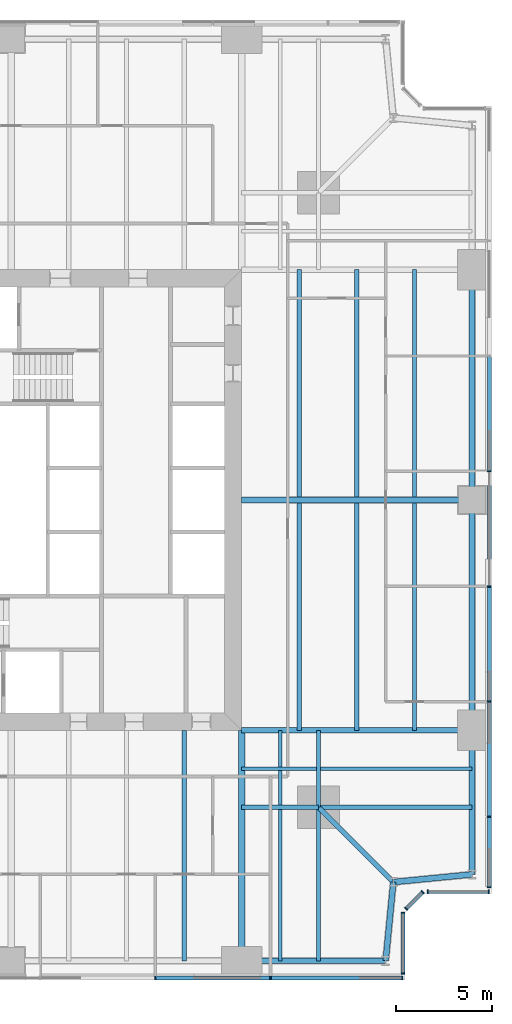
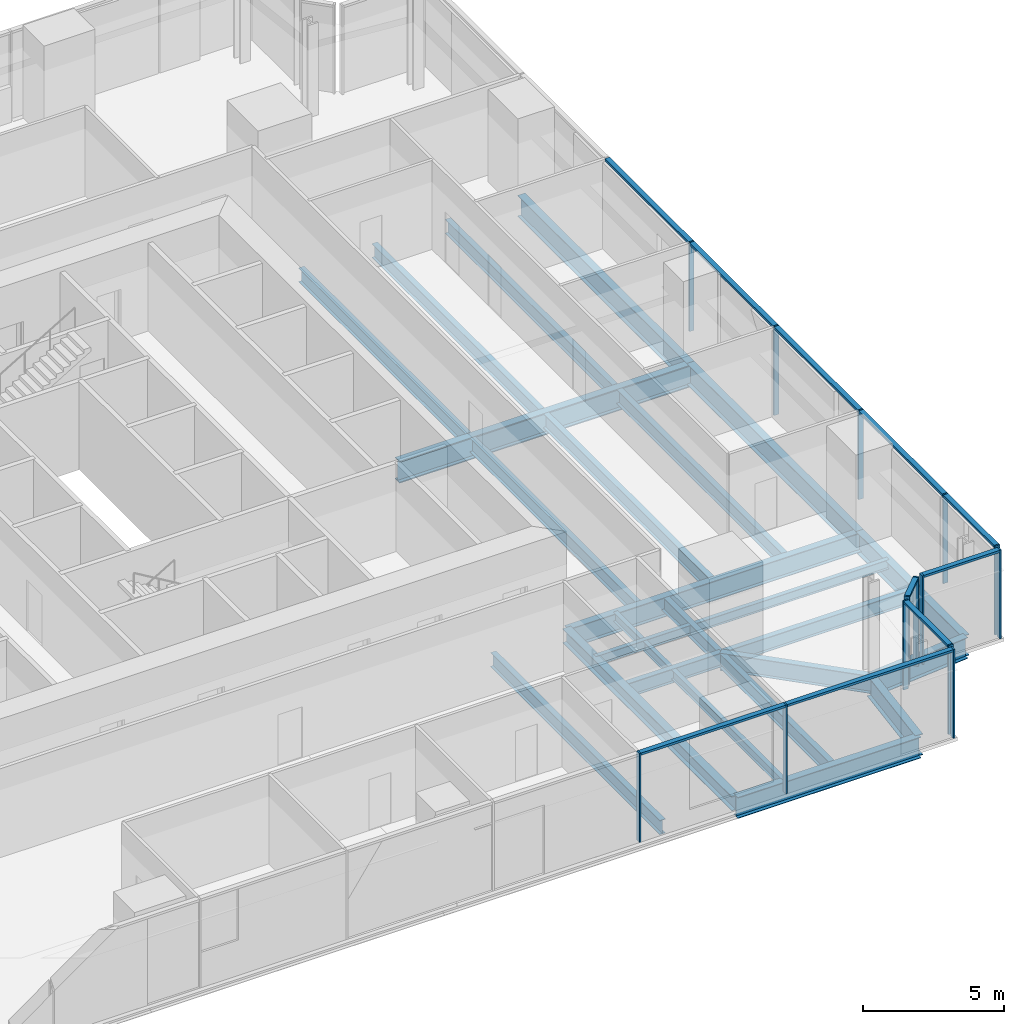
# One storey, part 5 of 13: 26 beams, 24 members, 5 elements without a shape of their own.
"""IFC4 building model written with IfcOpenShell, lengths in metres."""

from ifc_helpers import new_model, si_unit, direction, frame, origin, origin_2d, place, context, subcontext, project, spatial, rectangle, i_section, extrude, material, material_profile, profile_set, type_object, element, aggregate, save


model = new_model("IFC4")

# Units and contexts
model_context = context("Model", 3, precision=1e-05, world=origin(), true_north=direction((0.0, 1.0)))
body_context = subcontext(model_context, "Body", "Model", "MODEL_VIEW")
ifc_project = project(units=[si_unit("LENGTHUNIT", "METRE"), si_unit("AREAUNIT", "SQUARE_METRE"), si_unit("VOLUMEUNIT", "CUBIC_METRE"), si_unit("PLANEANGLEUNIT", "RADIAN"), si_unit("MASSUNIT", "GRAM", prefix="KILO")], contexts=[model_context])

# Site, building, storey
site_placement = place(None, origin())
site = spatial("IfcSite", under=ifc_project, at=site_placement, CompositionType="ELEMENT")
building_placement = place(site_placement, origin())
building = spatial("IfcBuilding", under=site, at=building_placement, Name="Fenwick Lantern Interchange", CompositionType="ELEMENT")
storey_placement = place(building_placement, frame((0.0, 0.0, 102.39990234375)))
storey = spatial("IfcBuildingStorey", under=building, at=storey_placement, Name="L23", CompositionType="ELEMENT", Elevation=102.39990234375)

# Beams
ifc_material_1 = material(Name="Steel ASTM A992 Grade 50", Category="steel")
ifc_material_profile_1 = material_profile(ifc_material_1, i_section(OverallWidth=0.3046875, OverallDepth=0.911865234375, WebThickness=0.015869140625, FlangeThickness=0.02392578125, at=origin_2d()), Name="W36X150")
ifc_profile_set_1 = profile_set([ifc_material_profile_1], Name="Steel ASTM A992 Grade 50")
beam_type_1 = type_object("IfcBeamType", Name="EDGE BEAM W36X150", PredefinedType="SPANDREL", material=ifc_profile_set_1)
beam_1_placement = place(storey_placement, frame((37.0, 1.0, -0.605712890625), z_axis=(1.0, 0.0, 0.0), x_axis=(0.0, 1.0, 0.0)))
element("IfcBeam", 1, at=beam_1_placement, inside=storey, type_object=beam_type_1, Name="L23/FR/S/EB4", PredefinedType="SPANDREL", context=body_context, shape_type="SweptSolid", body=[
    extrude(i_section(OverallWidth=0.3046875, OverallDepth=0.911865234375, WebThickness=0.015869140625, FlangeThickness=0.02392578125, at=origin_2d()), origin(), (0.0, 0.0, 1.0), 7.5),
])
for number, where, z_axis, x_axis, name in (
    (2, (44.5, 1.0, -0.605712890625), (0.097074191287, 0.995277148028, 0.0), (-0.995277148028, 0.097074191287, 0.0), "L23/FR/S/EBR1"),
    (3, (44.89990234375, 5.10009765625, -0.605712890625), (0.995277148028, 0.097074191287, 0.0), (-0.097074191287, 0.995277148028, 0.0), "L23/FR/S/EBR2"),
):
    element("IfcBeam", number, at=place(storey_placement, frame(where, z_axis=z_axis, x_axis=x_axis)), inside=storey, type_object=beam_type_1, Name=name, PredefinedType="SPANDREL", context=body_context, shape_type="SweptSolid", body=[
        extrude(i_section(OverallWidth=0.3046875, OverallDepth=0.911865234375, WebThickness=0.015869140625, FlangeThickness=0.02392578125, at=origin_2d()), origin(), (0.0, 0.0, 1.0), 4.11962890625),
    ])
beam_2_placement = place(storey_placement, frame((49.0, 5.5, -0.605712890625), z_axis=(0.0, 1.0, 0.0), x_axis=(-1.0, 0.0, 0.0)))
element("IfcBeam", 4, at=beam_2_placement, inside=storey, type_object=beam_type_1, Name="L23/FR/E/EB1", PredefinedType="SPANDREL", context=body_context, shape_type="SweptSolid", body=[
    extrude(i_section(OverallWidth=0.3046875, OverallDepth=0.911865234375, WebThickness=0.015869140625, FlangeThickness=0.02392578125, at=origin_2d()), origin(), (0.0, 0.0, 1.0), 7.5),
])
for number, where, z_axis, x_axis, name in (
    (5, (49.0, 13.0, -0.605712890625), (0.0, 1.0, 0.0), (-1.0, 0.0, 0.0), "L23/FR/E/EB2"),
    (6, (49.0, 25.0, -0.605712890625), (0.0, 1.0, 0.0), (-1.0, 0.0, 0.0), "L23/FR/E/EB3"),
):
    element("IfcBeam", number, at=place(storey_placement, frame(where, z_axis=z_axis, x_axis=x_axis)), inside=storey, type_object=beam_type_1, Name=name, PredefinedType="SPANDREL", context=body_context, shape_type="SweptSolid", body=[
        extrude(i_section(OverallWidth=0.3046875, OverallDepth=0.911865234375, WebThickness=0.015869140625, FlangeThickness=0.02392578125, at=origin_2d()), origin(), (0.0, 0.0, 1.0), 12.0),
    ])
ifc_material_profile_2 = material_profile(ifc_material_1, i_section(OverallWidth=0.22900390625, OverallDepth=0.612060546875, WebThickness=0.011962890625, FlangeThickness=0.01953125, at=origin_2d()), Name="W24X84")
ifc_profile_set_2 = profile_set([ifc_material_profile_2], Name="Steel ASTM A992 Grade 50")
beam_type_2 = type_object("IfcBeamType", Name="FLOOR BEAM W24X84", PredefinedType="BEAM", material=ifc_profile_set_2)
beam_3_placement = place(storey_placement, frame((34.0, 1.0, -0.4560546875), z_axis=(0.0, 1.0, 0.0), x_axis=(-1.0, 0.0, 0.0)))
element("IfcBeam", 7, at=beam_3_placement, inside=storey, type_object=beam_type_2, Name="L23/FR/S/R08", PredefinedType="BEAM", context=body_context, shape_type="SweptSolid", body=[
    extrude(i_section(OverallWidth=0.22900390625, OverallDepth=0.612060546875, WebThickness=0.011962890625, FlangeThickness=0.01953125, at=origin_2d()), origin(), (0.0, 0.0, 1.0), 12.0),
])
for number, where, z_axis, x_axis, name in (
    (8, (46.0, 13.0, -0.4560546875), (0.0, 1.0, 0.0), (-1.0, 0.0, 0.0), "L23/FR/E/B01"),
    (9, (43.0, 13.0, -0.4560546875), (0.0, 1.0, 0.0), (-1.0, 0.0, 0.0), "L23/FR/E/B02"),
    (10, (40.0, 13.0, -0.4560546875), (0.0, 1.0, 0.0), (-1.0, 0.0, 0.0), "L23/FR/E/B03"),
    (11, (46.0, 25.155029296875, -0.4560546875), (0.0, 1.0, 0.0), (-1.0, 0.0, 0.0), "L23/FR/E/B04"),
    (12, (43.0, 25.155029296875, -0.4560546875), (0.0, 1.0, 0.0), (-1.0, 0.0, 0.0), "L23/FR/E/B05"),
    (13, (40.0, 25.155029296875, -0.4560546875), (0.0, 1.0, 0.0), (-1.0, 0.0, 0.0), "L23/FR/E/B06"),
):
    element("IfcBeam", number, at=place(storey_placement, frame(where, z_axis=z_axis, x_axis=x_axis)), inside=storey, type_object=beam_type_2, Name=name, PredefinedType="BEAM", context=body_context, shape_type="SweptSolid", body=[
        extrude(i_section(OverallWidth=0.22900390625, OverallDepth=0.612060546875, WebThickness=0.011962890625, FlangeThickness=0.01953125, at=origin_2d()), origin(), (0.0, 0.0, 1.0), 11.844970703125),
    ])
ifc_material_profile_3 = material_profile(ifc_material_1, i_section(OverallWidth=0.177734375, OverallDepth=0.406494140625, WebThickness=0.0078125, FlangeThickness=0.012939453125, at=origin_2d()), Name="W16X40")
ifc_profile_set_3 = profile_set([ifc_material_profile_3], Name="Steel ASTM A992 Grade 50")
beam_type_3 = type_object("IfcBeamType", Name="INFILL BEAM W16X40", PredefinedType="JOIST", material=ifc_profile_set_3)
beam_4_placement = place(storey_placement, frame((49.0, 11.0, -0.35302734375), z_axis=(-1.0, 0.0, 0.0), x_axis=(0.0, -1.0, 0.0)))
element("IfcBeam", 14, at=beam_4_placement, inside=storey, type_object=beam_type_3, Name="L23/FR/E/J1", PredefinedType="JOIST", context=body_context, shape_type="SweptSolid", body=[
    extrude(i_section(OverallWidth=0.177734375, OverallDepth=0.406494140625, WebThickness=0.0078125, FlangeThickness=0.012939453125, at=origin_2d()), origin(), (0.0, 0.0, 1.0), 7.885498046875),
])
beam_5_placement = place(storey_placement, frame((40.885498046875, 11.0, -0.35302734375), z_axis=(-1.0, 0.0, 0.0), x_axis=(0.0, -1.0, 0.0)))
element("IfcBeam", 15, at=beam_5_placement, inside=storey, type_object=beam_type_3, Name="L23/FR/E/J2", PredefinedType="JOIST", context=body_context, shape_type="SweptSolid", body=[
    extrude(i_section(OverallWidth=0.177734375, OverallDepth=0.406494140625, WebThickness=0.0078125, FlangeThickness=0.012939453125, at=origin_2d()), origin(), (0.0, 0.0, 1.0), 3.885498046875),
])
beam_6_placement = place(storey_placement, frame((39.0, 1.0, -0.35302734375), z_axis=(0.0, 1.0, 0.0), x_axis=(-1.0, 0.0, 0.0)))
element("IfcBeam", 16, at=beam_6_placement, inside=storey, type_object=beam_type_3, Name="L23/FR/E/J3", PredefinedType="JOIST", context=body_context, shape_type="SweptSolid", body=[
    extrude(i_section(OverallWidth=0.177734375, OverallDepth=0.406494140625, WebThickness=0.0078125, FlangeThickness=0.012939453125, at=origin_2d()), origin(), (0.0, 0.0, 1.0), 7.885498046875),
])
beam_7_placement = place(storey_placement, frame((39.0, 9.114501953125, -0.35302734375), z_axis=(0.0, 1.0, 0.0), x_axis=(-1.0, 0.0, 0.0)))
element("IfcBeam", 17, at=beam_7_placement, inside=storey, type_object=beam_type_3, Name="L23/FR/E/J4", PredefinedType="JOIST", context=body_context, shape_type="SweptSolid", body=[
    extrude(i_section(OverallWidth=0.177734375, OverallDepth=0.406494140625, WebThickness=0.0078125, FlangeThickness=0.012939453125, at=origin_2d()), origin(), (0.0, 0.0, 1.0), 1.796630859375),
])
beam_8_placement = place(storey_placement, frame((39.0, 11.0888671875, -0.35302734375), z_axis=(0.0, 1.0, 0.0), x_axis=(-1.0, 0.0, 0.0)))
element("IfcBeam", 18, at=beam_8_placement, inside=storey, type_object=beam_type_3, Name="L23/FR/E/J5", PredefinedType="JOIST", context=body_context, shape_type="SweptSolid", body=[
    extrude(i_section(OverallWidth=0.177734375, OverallDepth=0.406494140625, WebThickness=0.0078125, FlangeThickness=0.012939453125, at=origin_2d()), origin(), (0.0, 0.0, 1.0), 1.9111328125),
])
ifc_material_profile_4 = material_profile(ifc_material_1, i_section(OverallWidth=0.22900390625, OverallDepth=0.612060546875, WebThickness=0.011962890625, FlangeThickness=0.01953125, at=origin_2d()), Name="W24X84")
ifc_profile_set_4 = profile_set([ifc_material_profile_4], Name="Steel ASTM A992 Grade 50")
beam_type_4 = type_object("IfcBeamType", Name="MEGA COLUMN BEAM W24X84", PredefinedType="BEAM", material=ifc_profile_set_4)
for number, where, z_axis, x_axis, name in (
    (19, (41.0, 9.0, -0.4560546875), (1.0, 0.0, 0.0), (0.0, 1.0, 0.0), "L23/FR/E/MB1"),
    (20, (41.0, 9.0, -0.4560546875), (0.0, -1.0, 0.0), (1.0, 0.0, 0.0), "L23/FR/E/MB2"),
):
    element("IfcBeam", number, at=place(storey_placement, frame(where, z_axis=z_axis, x_axis=x_axis)), inside=storey, type_object=beam_type_4, Name=name, PredefinedType="BEAM", context=body_context, shape_type="SweptSolid", body=[
        extrude(i_section(OverallWidth=0.22900390625, OverallDepth=0.612060546875, WebThickness=0.011962890625, FlangeThickness=0.01953125, at=origin_2d()), origin(), (0.0, 0.0, 1.0), 8.0),
    ])
for number, where, z_axis, x_axis, name in (
    (21, (41.0, 9.0, -0.4560546875), (0.0, 1.0, 0.0), (-1.0, 0.0, 0.0), "L23/FR/E/MB3"),
    (22, (41.0, 9.0, -0.4560546875), (-1.0, 0.0, 0.0), (0.0, -1.0, 0.0), "L23/FR/E/MB4"),
):
    element("IfcBeam", number, at=place(storey_placement, frame(where, z_axis=z_axis, x_axis=x_axis)), inside=storey, type_object=beam_type_4, Name=name, PredefinedType="BEAM", context=body_context, shape_type="SweptSolid", body=[
        extrude(i_section(OverallWidth=0.22900390625, OverallDepth=0.612060546875, WebThickness=0.011962890625, FlangeThickness=0.01953125, at=origin_2d()), origin(), (0.0, 0.0, 1.0), 4.0),
    ])
ifc_material_profile_5 = material_profile(ifc_material_1, i_section(OverallWidth=0.32763671875, OverallDepth=0.622314453125, WebThickness=0.015380859375, FlangeThickness=0.0244140625, at=origin_2d()), Name="W24X131")
ifc_profile_set_5 = profile_set([ifc_material_profile_5], Name="Steel ASTM A992 Grade 50")
beam_type_5 = type_object("IfcBeamType", Name="MOMENT-CONNECTED GIRDER W24X131", PredefinedType="BEAM", material=ifc_profile_set_5)
beam_9_placement = place(storey_placement, frame((37.0, 1.0, -0.4609375), z_axis=(0.0, 1.0, 0.0), x_axis=(-1.0, 0.0, 0.0)))
element("IfcBeam", 23, at=beam_9_placement, inside=storey, type_object=beam_type_5, Name="L23/FR/S/R09", PredefinedType="BEAM", context=body_context, shape_type="SweptSolid", body=[
    extrude(i_section(OverallWidth=0.32763671875, OverallDepth=0.622314453125, WebThickness=0.015380859375, FlangeThickness=0.0244140625, at=origin_2d()), origin(), (0.0, 0.0, 1.0), 12.0),
])
ifc_material_profile_6 = material_profile(ifc_material_1, i_section(OverallWidth=0.2919921875, OverallDepth=0.845703125, WebThickness=0.015380859375, FlangeThickness=0.0244140625, at=origin_2d()), Name="W33X141")
ifc_profile_set_6 = profile_set([ifc_material_profile_6], Name="Steel ASTM A992 Grade 50")
beam_type_6 = type_object("IfcBeamType", Name="MOMENT-CONNECTED GIRDER W33X141", PredefinedType="BEAM", material=ifc_profile_set_6)
beam_10_placement = place(storey_placement, frame((49.0, 13.0, -0.57275390625), z_axis=(-1.0, 0.0, 0.0), x_axis=(0.0, -1.0, 0.0)))
element("IfcBeam", 24, at=beam_10_placement, inside=storey, type_object=beam_type_6, Name="L23/FR/E/R01", PredefinedType="BEAM", context=body_context, shape_type="SweptSolid", body=[
    extrude(i_section(OverallWidth=0.2919921875, OverallDepth=0.845703125, WebThickness=0.015380859375, FlangeThickness=0.0244140625, at=origin_2d()), origin(), (0.0, 0.0, 1.0), 12.0),
])
ifc_material_profile_7 = material_profile(ifc_material_1, i_section(OverallWidth=0.309814453125, OverallDepth=0.949951171875, WebThickness=0.0244140625, FlangeThickness=0.0439453125, at=origin_2d()), Name="W36X256")
ifc_profile_set_7 = profile_set([ifc_material_profile_7], Name="Steel ASTM A992 Grade 50")
beam_type_7 = type_object("IfcBeamType", Name="MOMENT-CONNECTED GIRDER W36X256", PredefinedType="BEAM", material=ifc_profile_set_7)
beam_11_placement = place(storey_placement, frame((49.0, 25.0, -0.625), z_axis=(-1.0, 0.0, 0.0), x_axis=(0.0, -1.0, 0.0)))
element("IfcBeam", 25, at=beam_11_placement, inside=storey, type_object=beam_type_7, Name="L23/FR/E/R02", PredefinedType="BEAM", context=body_context, shape_type="SweptSolid", body=[
    extrude(i_section(OverallWidth=0.309814453125, OverallDepth=0.949951171875, WebThickness=0.0244140625, FlangeThickness=0.0439453125, at=origin_2d()), origin(), (0.0, 0.0, 1.0), 12.0),
])
ifc_material_profile_8 = material_profile(ifc_material_1, i_section(OverallWidth=0.2666015625, OverallDepth=0.7568359375, WebThickness=0.013916015625, FlangeThickness=0.019287109375, at=origin_2d()), Name="W30X108")
ifc_profile_set_8 = profile_set([ifc_material_profile_8], Name="Steel ASTM A992 Grade 50")
beam_type_8 = type_object("IfcBeamType", Name="NOTCH BEAM W30X108", PredefinedType="BEAM", material=ifc_profile_set_8)
beam_12_placement = place(storey_placement, frame((41.0, 9.0, -0.5283203125), z_axis=(0.707106781187, -0.707106781187, 0.0), x_axis=(0.707106781187, 0.707106781187, 0.0)))
element("IfcBeam", 26, at=beam_12_placement, inside=storey, type_object=beam_type_8, Name="L23/FR/E/TG", PredefinedType="BEAM", context=body_context, shape_type="SweptSolid", body=[
    extrude(i_section(OverallWidth=0.2666015625, OverallDepth=0.7568359375, WebThickness=0.013916015625, FlangeThickness=0.019287109375, at=origin_2d()), origin(), (0.0, 0.0, 1.0), 5.515380859375),
])

# Curtain wall, members
ifc_material_2 = material(Name="Aluminium curtain wall frame", Category="aluminium")
curtain_wall_type = type_object("IfcCurtainWallType", Name="OFFICE CURTAIN WALL", PredefinedType="USERDEFINED", material=ifc_material_2)
curtain_wall_1_placement = place(storey_placement, origin())
curtain_wall_1 = element("IfcCurtainWall", 27, at=curtain_wall_1_placement, inside=storey, type_object=curtain_wall_type, Name="Office curtain wall 01", ObjectType="OFFICE CURTAIN WALL", PredefinedType="USERDEFINED")
ifc_material_3 = material(Name="Aluminium extrusion", Category="aluminium")
ifc_material_profile_9 = material_profile(ifc_material_3, rectangle(XDim=0.199951171875, YDim=0.06494140625, at=origin_2d()), Name="OFFICE CURTAIN WALL MULLION 65 X 200")
ifc_profile_set_9 = profile_set([ifc_material_profile_9], Name="Aluminium extrusion")
member_type_1 = type_object("IfcMemberType", Name="OFFICE CURTAIN WALL MULLION 65 X 200", PredefinedType="MULLION", material=ifc_profile_set_9)
member_1_placement = place(storey_placement, frame((32.5, 0.10009765625, 0.0), z_axis=(0.0, 0.0, 1.0), x_axis=(0.0, 1.0, 0.0)))
member_1 = element("IfcMember", 28, at=member_1_placement, type_object=member_type_1, Name="L23/CW/01/M05", PredefinedType="MULLION", context=body_context, shape_type="SweptSolid", body=[
    extrude(rectangle(XDim=0.199951171875, YDim=0.06494140625, at=origin_2d()), origin(), (0.0, 0.0, 1.0), 3.85009765625),
])
member_2_placement = place(storey_placement, frame((38.5, 0.10009765625, 0.0), z_axis=(0.0, 0.0, 1.0), x_axis=(0.0, 1.0, 0.0)))
member_2 = element("IfcMember", 29, at=member_2_placement, type_object=member_type_1, Name="L23/CW/01/M06", PredefinedType="MULLION", context=body_context, shape_type="SweptSolid", body=[
    extrude(rectangle(XDim=0.199951171875, YDim=0.06494140625, at=origin_2d()), origin(), (0.0, 0.0, 1.0), 3.85009765625),
])
member_3_placement = place(storey_placement, frame((45.367431640625, 0.10009765625, 0.0), z_axis=(0.0, 0.0, 1.0), x_axis=(0.0, 1.0, 0.0)))
member_3 = element("IfcMember", 30, at=member_3_placement, type_object=member_type_1, Name="L23/CW/01/M07", PredefinedType="MULLION", context=body_context, shape_type="SweptSolid", body=[
    extrude(rectangle(XDim=0.199951171875, YDim=0.06494140625, at=origin_2d()), origin(), (0.0, 0.0, 1.0), 3.85009765625),
])

curtain_wall_2_placement = place(storey_placement, origin())
curtain_wall_2 = element("IfcCurtainWall", 31, at=curtain_wall_2_placement, inside=storey, type_object=curtain_wall_type, Name="Office curtain wall 02", ObjectType="OFFICE CURTAIN WALL", PredefinedType="USERDEFINED")
member_4_placement = place(storey_placement, frame((45.39990234375, 0.33251953125, 0.0), z_axis=(0.0, 0.0, 1.0), x_axis=(-1.0, 0.0, 0.0)))
member_4 = element("IfcMember", 32, at=member_4_placement, type_object=member_type_1, Name="L23/CW/02/M00", PredefinedType="MULLION", context=body_context, shape_type="SweptSolid", body=[
    extrude(rectangle(XDim=0.199951171875, YDim=0.06494140625, at=origin_2d()), origin(), (0.0, 0.0, 1.0), 3.85009765625),
])
member_5_placement = place(storey_placement, frame((45.39990234375, 3.509033203125, 0.0), z_axis=(0.0, 0.0, 1.0), x_axis=(-1.0, 0.0, 0.0)))
member_5 = element("IfcMember", 33, at=member_5_placement, type_object=member_type_1, Name="L23/CW/02/M01", PredefinedType="MULLION", context=body_context, shape_type="SweptSolid", body=[
    extrude(rectangle(XDim=0.199951171875, YDim=0.06494140625, at=origin_2d()), origin(), (0.0, 0.0, 1.0), 3.85009765625),
])

curtain_wall_3_placement = place(storey_placement, origin())
curtain_wall_3 = element("IfcCurtainWall", 34, at=curtain_wall_3_placement, inside=storey, type_object=curtain_wall_type, Name="Office curtain wall 03", ObjectType="OFFICE CURTAIN WALL", PredefinedType="USERDEFINED")
member_6_placement = place(storey_placement, frame((45.564453125, 3.705810546875, 0.0), z_axis=(0.0, 0.0, 1.0), x_axis=(-0.707106781187, 0.707106781187, 0.0)))
member_6 = element("IfcMember", 35, at=member_6_placement, type_object=member_type_1, Name="L23/CW/03/M00", PredefinedType="MULLION", context=body_context, shape_type="SweptSolid", body=[
    extrude(rectangle(XDim=0.199951171875, YDim=0.06494140625, at=origin_2d()), origin(), (0.0, 0.0, 1.0), 3.85009765625),
])
member_7_placement = place(storey_placement, frame((46.435546875, 4.576904296875, 0.0), z_axis=(0.0, 0.0, 1.0), x_axis=(-0.707106781187, 0.707106781187, 0.0)))
member_7 = element("IfcMember", 36, at=member_7_placement, type_object=member_type_1, Name="L23/CW/03/M01", PredefinedType="MULLION", context=body_context, shape_type="SweptSolid", body=[
    extrude(rectangle(XDim=0.199951171875, YDim=0.06494140625, at=origin_2d()), origin(), (0.0, 0.0, 1.0), 3.85009765625),
])

curtain_wall_4_placement = place(storey_placement, origin())
curtain_wall_4 = element("IfcCurtainWall", 37, at=curtain_wall_4_placement, inside=storey, type_object=curtain_wall_type, Name="Office curtain wall 04", ObjectType="OFFICE CURTAIN WALL", PredefinedType="USERDEFINED")
member_8_placement = place(storey_placement, frame((46.691162109375, 4.60009765625, 0.0), z_axis=(0.0, 0.0, 1.0), x_axis=(0.0, 1.0, 0.0)))
member_8 = element("IfcMember", 38, at=member_8_placement, type_object=member_type_1, Name="L23/CW/04/M00", PredefinedType="MULLION", context=body_context, shape_type="SweptSolid", body=[
    extrude(rectangle(XDim=0.199951171875, YDim=0.06494140625, at=origin_2d()), origin(), (0.0, 0.0, 1.0), 3.85009765625),
])
member_9_placement = place(storey_placement, frame((49.867431640625, 4.60009765625, 0.0), z_axis=(0.0, 0.0, 1.0), x_axis=(0.0, 1.0, 0.0)))
member_9 = element("IfcMember", 39, at=member_9_placement, type_object=member_type_1, Name="L23/CW/04/M01", PredefinedType="MULLION", context=body_context, shape_type="SweptSolid", body=[
    extrude(rectangle(XDim=0.199951171875, YDim=0.06494140625, at=origin_2d()), origin(), (0.0, 0.0, 1.0), 3.85009765625),
])

curtain_wall_5_placement = place(storey_placement, origin())
curtain_wall_5 = element("IfcCurtainWall", 40, at=curtain_wall_5_placement, inside=storey, type_object=curtain_wall_type, Name="Office curtain wall 05", ObjectType="OFFICE CURTAIN WALL", PredefinedType="USERDEFINED")
member_10_placement = place(storey_placement, frame((49.89990234375, 4.83251953125, 0.0), z_axis=(0.0, 0.0, 1.0), x_axis=(-1.0, 0.0, 0.0)))
member_10 = element("IfcMember", 41, at=member_10_placement, type_object=member_type_1, Name="L23/CW/05/M00", PredefinedType="MULLION", context=body_context, shape_type="SweptSolid", body=[
    extrude(rectangle(XDim=0.199951171875, YDim=0.06494140625, at=origin_2d()), origin(), (0.0, 0.0, 1.0), 3.85009765625),
])
member_11_placement = place(storey_placement, frame((49.89990234375, 8.5, 0.0), z_axis=(0.0, 0.0, 1.0), x_axis=(-1.0, 0.0, 0.0)))
member_11 = element("IfcMember", 42, at=member_11_placement, type_object=member_type_1, Name="L23/CW/05/M01", PredefinedType="MULLION", context=body_context, shape_type="SweptSolid", body=[
    extrude(rectangle(XDim=0.199951171875, YDim=0.06494140625, at=origin_2d()), origin(), (0.0, 0.0, 1.0), 3.85009765625),
])
member_12_placement = place(storey_placement, frame((49.89990234375, 14.5, 0.0), z_axis=(0.0, 0.0, 1.0), x_axis=(-1.0, 0.0, 0.0)))
member_12 = element("IfcMember", 43, at=member_12_placement, type_object=member_type_1, Name="L23/CW/05/M02", PredefinedType="MULLION", context=body_context, shape_type="SweptSolid", body=[
    extrude(rectangle(XDim=0.199951171875, YDim=0.06494140625, at=origin_2d()), origin(), (0.0, 0.0, 1.0), 3.85009765625),
])
member_13_placement = place(storey_placement, frame((49.89990234375, 20.5, 0.0), z_axis=(0.0, 0.0, 1.0), x_axis=(-1.0, 0.0, 0.0)))
member_13 = element("IfcMember", 44, at=member_13_placement, type_object=member_type_1, Name="L23/CW/05/M03", PredefinedType="MULLION", context=body_context, shape_type="SweptSolid", body=[
    extrude(rectangle(XDim=0.199951171875, YDim=0.06494140625, at=origin_2d()), origin(), (0.0, 0.0, 1.0), 3.85009765625),
])
member_14_placement = place(storey_placement, frame((49.89990234375, 26.5, 0.0), z_axis=(0.0, 0.0, 1.0), x_axis=(-1.0, 0.0, 0.0)))
member_14 = element("IfcMember", 45, at=member_14_placement, type_object=member_type_1, Name="L23/CW/05/M04", PredefinedType="MULLION", context=body_context, shape_type="SweptSolid", body=[
    extrude(rectangle(XDim=0.199951171875, YDim=0.06494140625, at=origin_2d()), origin(), (0.0, 0.0, 1.0), 3.85009765625),
])

# Member
ifc_material_profile_10 = material_profile(ifc_material_3, rectangle(XDim=0.199951171875, YDim=0.10009765625, at=origin_2d()), Name="OFFICE CURTAIN WALL TRANSOM 100 X 200")
ifc_profile_set_10 = profile_set([ifc_material_profile_10], Name="Aluminium extrusion")
member_type_2 = type_object("IfcMemberType", Name="OFFICE CURTAIN WALL TRANSOM 100 X 200", PredefinedType="MULLION", material=ifc_profile_set_10)
member_15_placement = place(storey_placement, frame((32.532470703125, 0.10009765625, 3.800048828125), z_axis=(1.0, 0.0, 0.0), x_axis=(0.0, 1.0, 0.0)))
member_15 = element("IfcMember", 46, at=member_15_placement, type_object=member_type_2, Name="L23/CW/01/T05", PredefinedType="MULLION", context=body_context, shape_type="SweptSolid", body=[
    extrude(rectangle(XDim=0.199951171875, YDim=0.10009765625, at=origin_2d()), origin(), (0.0, 0.0, 1.0), 5.93505859375),
])

member_16_placement = place(storey_placement, frame((38.532470703125, 0.10009765625, 3.800048828125), z_axis=(1.0, 0.0, 0.0), x_axis=(0.0, 1.0, 0.0)))
member_16 = element("IfcMember", 47, at=member_16_placement, type_object=member_type_2, Name="L23/CW/01/T06", PredefinedType="MULLION", context=body_context, shape_type="SweptSolid", body=[
    extrude(rectangle(XDim=0.199951171875, YDim=0.10009765625, at=origin_2d()), origin(), (0.0, 0.0, 1.0), 6.802490234375),
])

aggregate(curtain_wall_1, [member_1, member_2, member_3, member_15, member_16])

member_17_placement = place(storey_placement, frame((45.39990234375, 0.364990234375, 3.800048828125), z_axis=(0.0, 1.0, 0.0), x_axis=(-1.0, 0.0, 0.0)))
member_17 = element("IfcMember", 48, at=member_17_placement, type_object=member_type_2, Name="L23/CW/02/T00", PredefinedType="MULLION", context=body_context, shape_type="SweptSolid", body=[
    extrude(rectangle(XDim=0.199951171875, YDim=0.10009765625, at=origin_2d()), origin(), (0.0, 0.0, 1.0), 3.111328125),
])

aggregate(curtain_wall_2, [member_4, member_5, member_17])

member_18_placement = place(storey_placement, frame((45.58740234375, 3.728759765625, 3.800048828125), z_axis=(0.707106781187, 0.707106781187, 0.0), x_axis=(-0.707106781187, 0.707106781187, 0.0)))
member_18 = element("IfcMember", 49, at=member_18_placement, type_object=member_type_2, Name="L23/CW/03/T00", PredefinedType="MULLION", context=body_context, shape_type="SweptSolid", body=[
    extrude(rectangle(XDim=0.199951171875, YDim=0.10009765625, at=origin_2d()), origin(), (0.0, 0.0, 1.0), 1.1669921875),
])

aggregate(curtain_wall_3, [member_6, member_7, member_18])

member_19_placement = place(storey_placement, frame((46.7236328125, 4.60009765625, 3.800048828125), z_axis=(1.0, 0.0, 0.0), x_axis=(0.0, 1.0, 0.0)))
member_19 = element("IfcMember", 50, at=member_19_placement, type_object=member_type_2, Name="L23/CW/04/T00", PredefinedType="MULLION", context=body_context, shape_type="SweptSolid", body=[
    extrude(rectangle(XDim=0.199951171875, YDim=0.10009765625, at=origin_2d()), origin(), (0.0, 0.0, 1.0), 3.111328125),
])

aggregate(curtain_wall_4, [member_8, member_9, member_19])

member_20_placement = place(storey_placement, frame((49.89990234375, 4.864990234375, 3.800048828125), z_axis=(0.0, 1.0, 0.0), x_axis=(-1.0, 0.0, 0.0)))
member_20 = element("IfcMember", 51, at=member_20_placement, type_object=member_type_2, Name="L23/CW/05/T00", PredefinedType="MULLION", context=body_context, shape_type="SweptSolid", body=[
    extrude(rectangle(XDim=0.199951171875, YDim=0.10009765625, at=origin_2d()), origin(), (0.0, 0.0, 1.0), 3.6025390625),
])

member_21_placement = place(storey_placement, frame((49.89990234375, 8.532470703125, 3.800048828125), z_axis=(0.0, 1.0, 0.0), x_axis=(-1.0, 0.0, 0.0)))
member_21 = element("IfcMember", 52, at=member_21_placement, type_object=member_type_2, Name="L23/CW/05/T01", PredefinedType="MULLION", context=body_context, shape_type="SweptSolid", body=[
    extrude(rectangle(XDim=0.199951171875, YDim=0.10009765625, at=origin_2d()), origin(), (0.0, 0.0, 1.0), 5.93505859375),
])

member_22_placement = place(storey_placement, frame((49.89990234375, 14.532470703125, 3.800048828125), z_axis=(0.0, 1.0, 0.0), x_axis=(-1.0, 0.0, 0.0)))
member_22 = element("IfcMember", 53, at=member_22_placement, type_object=member_type_2, Name="L23/CW/05/T02", PredefinedType="MULLION", context=body_context, shape_type="SweptSolid", body=[
    extrude(rectangle(XDim=0.199951171875, YDim=0.10009765625, at=origin_2d()), origin(), (0.0, 0.0, 1.0), 5.93505859375),
])

member_23_placement = place(storey_placement, frame((49.89990234375, 20.532470703125, 3.800048828125), z_axis=(0.0, 1.0, 0.0), x_axis=(-1.0, 0.0, 0.0)))
member_23 = element("IfcMember", 54, at=member_23_placement, type_object=member_type_2, Name="L23/CW/05/T03", PredefinedType="MULLION", context=body_context, shape_type="SweptSolid", body=[
    extrude(rectangle(XDim=0.199951171875, YDim=0.10009765625, at=origin_2d()), origin(), (0.0, 0.0, 1.0), 5.93505859375),
])

member_24_placement = place(storey_placement, frame((49.89990234375, 26.532470703125, 3.800048828125), z_axis=(0.0, 1.0, 0.0), x_axis=(-1.0, 0.0, 0.0)))
member_24 = element("IfcMember", 55, at=member_24_placement, type_object=member_type_2, Name="L23/CW/05/T04", PredefinedType="MULLION", context=body_context, shape_type="SweptSolid", body=[
    extrude(rectangle(XDim=0.199951171875, YDim=0.10009765625, at=origin_2d()), origin(), (0.0, 0.0, 1.0), 5.93505859375),
])

aggregate(curtain_wall_5, [member_10, member_11, member_12, member_13, member_14, member_20, member_21, member_22, member_23, member_24])

save(model, "model.ifc")
